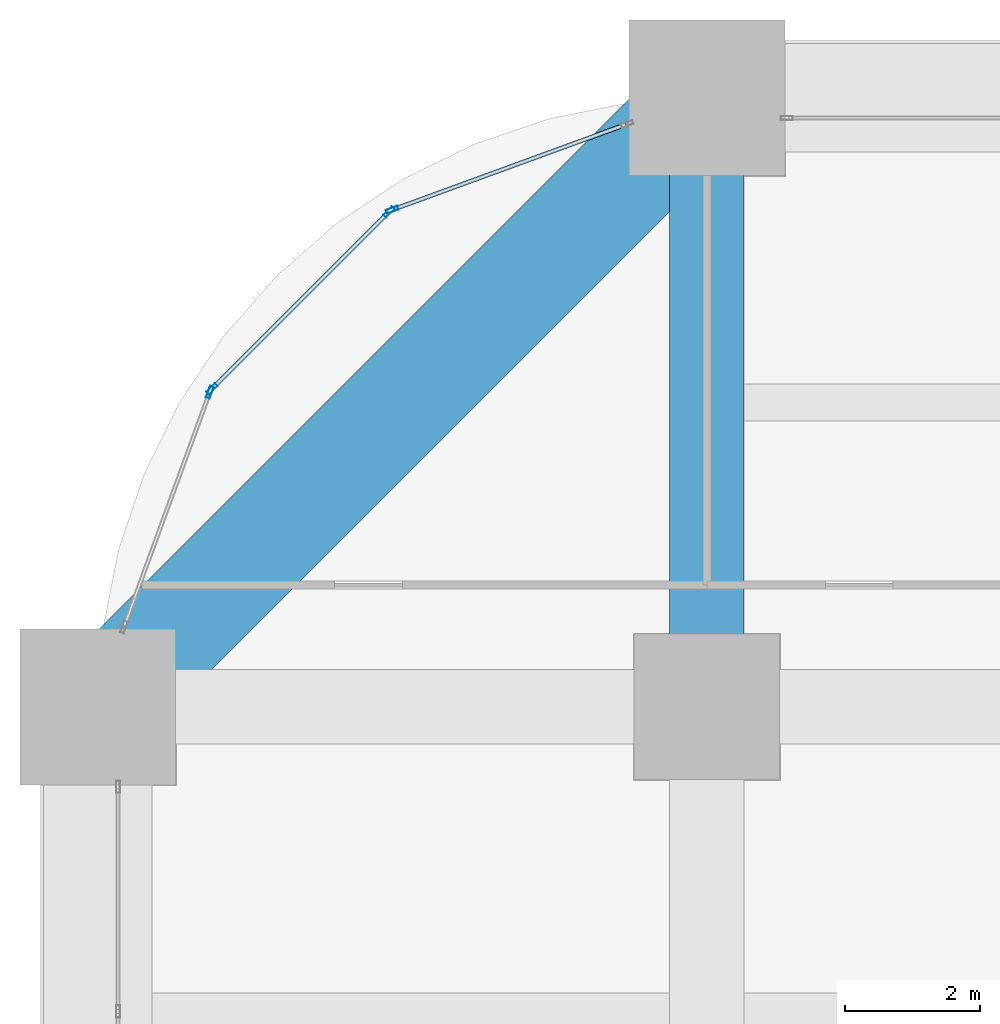
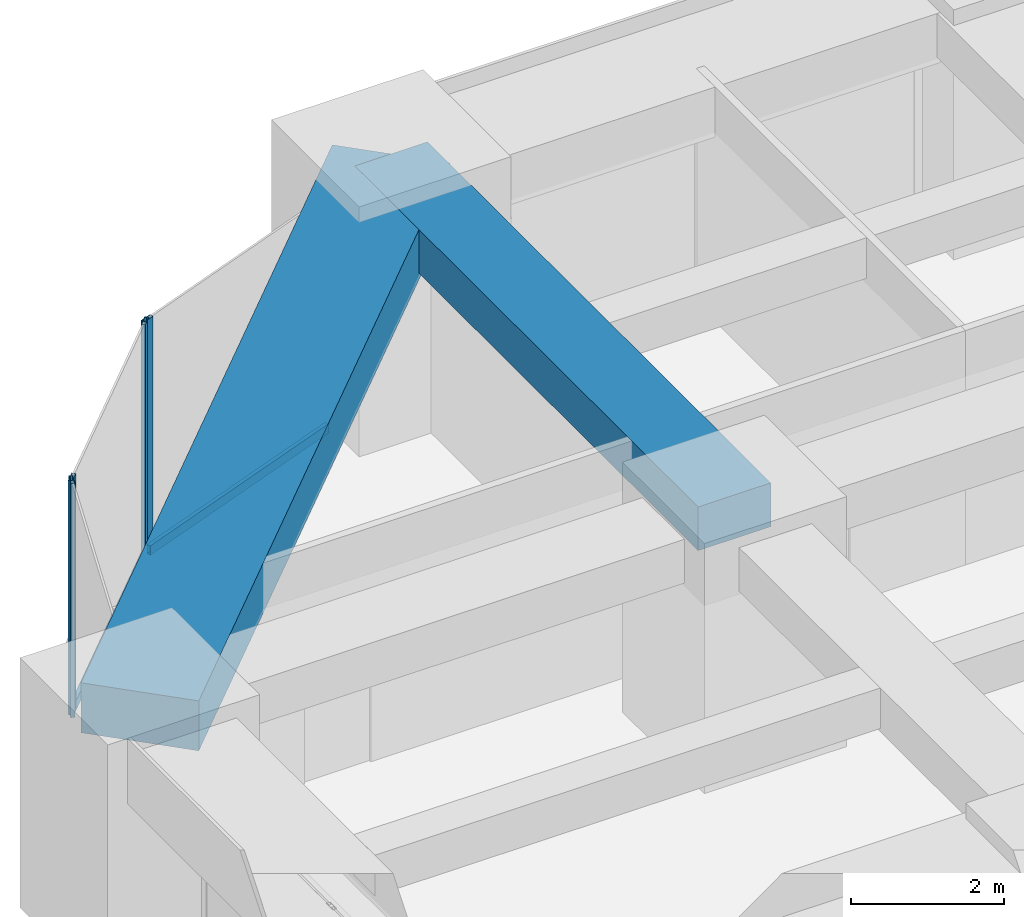
# One storey, part 27 of 43: 6 members, 2 beams, 3 elements without a shape of their own.
"""IFC4 building model written with IfcOpenShell, lengths in metres."""

from ifc_helpers import new_model, si_unit, direction, frame, origin, origin_2d, place, context, subcontext, project, spatial, rectangle, hollow_rectangle, extrude, material, material_profile, profile_set, type_object, element, aggregate, save


model = new_model("IFC4")

# Units and contexts
model_context = context("Model", 3, precision=1e-05, world=origin(), true_north=direction((0.0, 1.0)))
body_context = subcontext(model_context, "Body", "Model", "MODEL_VIEW")
ifc_project = project(units=[si_unit("LENGTHUNIT", "METRE"), si_unit("AREAUNIT", "SQUARE_METRE"), si_unit("VOLUMEUNIT", "CUBIC_METRE"), si_unit("PLANEANGLEUNIT", "RADIAN"), si_unit("MASSUNIT", "GRAM", prefix="KILO")], contexts=[model_context])

# Site, building, storey
site_placement = place(None, origin())
site = spatial("IfcSite", under=ifc_project, at=site_placement, CompositionType="ELEMENT")
building_placement = place(site_placement, origin())
building = spatial("IfcBuilding", under=site, at=building_placement, Name="Zorevar Civic Tower", CompositionType="ELEMENT")
storey_placement = place(building_placement, frame((0.0, 0.0, 67.800048828125)))
storey = spatial("IfcBuildingStorey", under=building, at=storey_placement, Name="L16", CompositionType="ELEMENT", Elevation=67.800048828125)

# Beam
ifc_material_1 = material(Name="Concrete C50/60", Category="concrete")
ifc_material_profile_1 = material_profile(ifc_material_1, rectangle(XDim=1.10009765625, YDim=0.699951171875, at=origin_2d()), Name="RC 1100x700")
ifc_profile_set_1 = profile_set([ifc_material_profile_1], Name="Concrete C50/60")
beam_type_1 = type_object("IfcBeamType", Name="Beam RC 1100x700", PredefinedType="BEAM", material=ifc_profile_set_1)
beam_1_placement = place(storey_placement, frame((9.0, 45.0, 3.39990234375), z_axis=(0.0, 1.0, 0.0), x_axis=(-1.0, 0.0, 0.0)))
element("IfcBeam", 1, at=beam_1_placement, inside=storey, type_object=beam_type_1, Name="Girder L17", PredefinedType="BEAM", context=body_context, shape_type="SweptSolid", body=[
    extrude(rectangle(XDim=1.10009765625, YDim=0.699951171875, at=origin_2d()), origin(), (0.0, 0.0, 1.0), 9.0),
])

# Curtain wall, member
ifc_material_2 = material(Name="Dark grey solar-control glass in black aluminium frame", Category="aluminium")
curtain_wall_type = type_object("IfcCurtainWallType", Name="Curtain wall CW2 low zone", PredefinedType="NOTDEFINED", material=ifc_material_2)
curtain_wall_1_placement = place(storey_placement, origin())
curtain_wall_1 = element("IfcCurtainWall", 2, at=curtain_wall_1_placement, inside=storey, type_object=curtain_wall_type, Name="CW2 L16", PredefinedType="NOTDEFINED")
ifc_material_3 = material(Name="Aluminium, black anodised", Category="aluminium")
ifc_material_profile_2 = material_profile(ifc_material_3, hollow_rectangle(XDim=0.06005859375, YDim=0.179931640625, WallThickness=0.00390625, at=origin_2d()), Name="AL 180x60x4")
ifc_profile_set_2 = profile_set([ifc_material_profile_2], Name="Aluminium, black anodised")
member_type_1 = type_object("IfcMemberType", Name="CW2 mullion AL 180x60x4", PredefinedType="MULLION", material=ifc_profile_set_2)
member_1_placement = place(storey_placement, frame((4.349609375, 52.34521484375, 0.0), z_axis=(0.0, 0.0, 1.0), x_axis=(0.343060400701, -0.939313345732, 0.0)))
member_1 = element("IfcMember", 3, at=member_1_placement, type_object=member_type_1, Name="CW2 mullion 2", PredefinedType="MULLION", context=body_context, shape_type="SweptSolid", body=[
    extrude(hollow_rectangle(XDim=0.06005859375, YDim=0.179931640625, WallThickness=0.00390625, at=origin_2d()), origin(), (0.0, 0.0, 1.0), 3.75),
])

# Curtain wall, members
curtain_wall_2_placement = place(storey_placement, origin())
curtain_wall_2 = element("IfcCurtainWall", 4, at=curtain_wall_2_placement, inside=storey, type_object=curtain_wall_type, Name="CW2 L16", PredefinedType="NOTDEFINED")
member_2_placement = place(storey_placement, frame((4.30029296875, 52.313720703125, 0.0), z_axis=(0.0, 0.0, 1.0), x_axis=(0.707106781187, -0.707106781187, 0.0)))
member_2 = element("IfcMember", 5, at=member_2_placement, type_object=member_type_1, Name="CW2 mullion 1", PredefinedType="MULLION", context=body_context, shape_type="SweptSolid", body=[
    extrude(hollow_rectangle(XDim=0.06005859375, YDim=0.179931640625, WallThickness=0.00390625, at=origin_2d()), origin(), (0.0, 0.0, 1.0), 3.75),
])
member_3_placement = place(storey_placement, frame((1.686279296875, 49.69970703125, 0.0), z_axis=(0.0, 0.0, 1.0), x_axis=(0.707106781187, -0.707106781187, 0.0)))
member_3 = element("IfcMember", 6, at=member_3_placement, type_object=member_type_1, Name="CW2 mullion 2", PredefinedType="MULLION", context=body_context, shape_type="SweptSolid", body=[
    extrude(hollow_rectangle(XDim=0.06005859375, YDim=0.179931640625, WallThickness=0.00390625, at=origin_2d()), origin(), (0.0, 0.0, 1.0), 3.75),
])

# Curtain wall, member
curtain_wall_3_placement = place(storey_placement, origin())
curtain_wall_3 = element("IfcCurtainWall", 7, at=curtain_wall_3_placement, inside=storey, type_object=curtain_wall_type, Name="CW2 L16", PredefinedType="NOTDEFINED")
member_4_placement = place(storey_placement, frame((1.65478515625, 49.650390625, 0.0), z_axis=(0.0, 0.0, 1.0), x_axis=(0.939313345732, -0.343060400701, 0.0)))
member_4 = element("IfcMember", 8, at=member_4_placement, type_object=member_type_1, Name="CW2 mullion 1", PredefinedType="MULLION", context=body_context, shape_type="SweptSolid", body=[
    extrude(hollow_rectangle(XDim=0.06005859375, YDim=0.179931640625, WallThickness=0.00390625, at=origin_2d()), origin(), (0.0, 0.0, 1.0), 3.75),
])
aggregate(curtain_wall_3, [member_4])

# Member
ifc_material_4 = material(Name="Aluminium, black anodised", Category="aluminium")
ifc_material_profile_3 = material_profile(ifc_material_4, hollow_rectangle(XDim=0.06005859375, YDim=0.14990234375, WallThickness=0.00390625, at=origin_2d()), Name="AL 150x60x4")
ifc_profile_set_3 = profile_set([ifc_material_profile_3], Name="Aluminium, black anodised")
member_type_2 = type_object("IfcMemberType", Name="CW2 transom AL 150x60x4", PredefinedType="USERDEFINED", material=ifc_profile_set_3)
member_5_placement = place(storey_placement, frame((7.793701171875, 53.60302734375, 0.030029296875), z_axis=(-0.939318180432, -0.343047162808, 0.0), x_axis=(0.343047162808, -0.939318180432, 0.0)))
member_5 = element("IfcMember", 9, at=member_5_placement, type_object=member_type_2, Name="CW2 sill transom", ObjectType="TRANSOM", PredefinedType="USERDEFINED", context=body_context, shape_type="SweptSolid", body=[
    extrude(hollow_rectangle(XDim=0.06005859375, YDim=0.14990234375, WallThickness=0.00390625, at=origin_2d()), origin(), (0.0, 0.0, 1.0), 3.63671875),
])

aggregate(curtain_wall_1, [member_1, member_5])

member_6_placement = place(storey_placement, frame((4.279052734375, 52.29248046875, 0.030029296875), z_axis=(-0.707106781187, -0.707106781187, 0.0), x_axis=(0.707106781187, -0.707106781187, 0.0)))
member_6 = element("IfcMember", 10, at=member_6_placement, type_object=member_type_2, Name="CW2 sill transom", ObjectType="TRANSOM", PredefinedType="USERDEFINED", context=body_context, shape_type="SweptSolid", body=[
    extrude(hollow_rectangle(XDim=0.06005859375, YDim=0.14990234375, WallThickness=0.00390625, at=origin_2d()), origin(), (0.0, 0.0, 1.0), 3.63671875),
])

aggregate(curtain_wall_2, [member_2, member_3, member_6])

# Beam
ifc_material_5 = material(Name="Concrete C50/60", Category="concrete")
ifc_material_profile_4 = material_profile(ifc_material_5, rectangle(XDim=1.60009765625, YDim=0.800048828125, at=origin_2d()), Name="RC 1600x800")
ifc_profile_set_4 = profile_set([ifc_material_profile_4], Name="Concrete C50/60")
beam_type_2 = type_object("IfcBeamType", Name="Edge beam RC 1600x800", PredefinedType="SPANDREL", material=ifc_profile_set_4)
beam_2_placement = place(storey_placement, frame((9.0, 54.0, 3.349853515625), z_axis=(-0.707106781187, -0.707106781187, 0.0), x_axis=(0.707106781187, -0.707106781187, 0.0)))
element("IfcBeam", 11, at=beam_2_placement, inside=storey, type_object=beam_type_2, Name="Corner edge beam L17", PredefinedType="SPANDREL", context=body_context, shape_type="SweptSolid", body=[
    extrude(rectangle(XDim=1.60009765625, YDim=0.800048828125, at=origin_2d()), origin(), (0.0, 0.0, 1.0), 12.72802734375),
])

save(model, "model.ifc")
